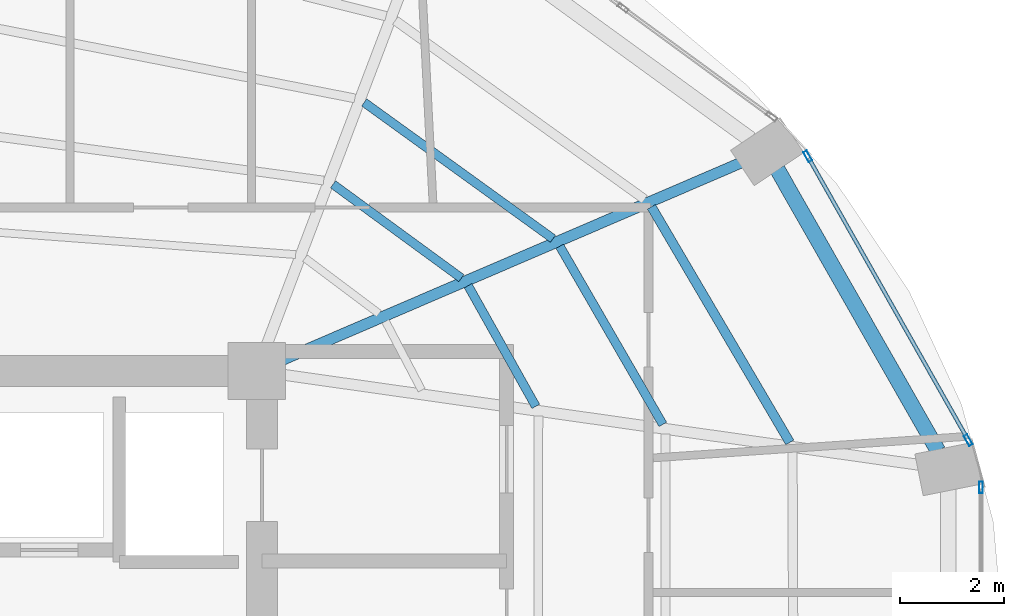
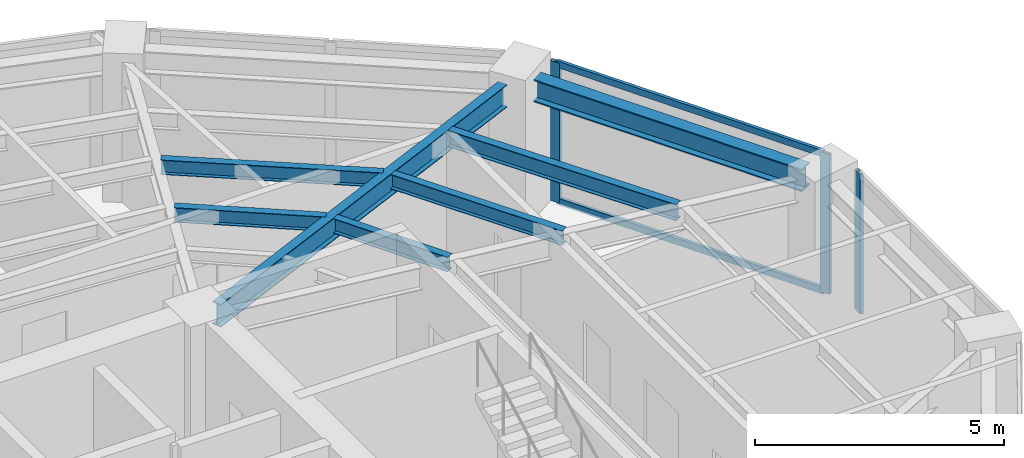
# One storey, part 11 of 20: 7 beams, 5 members, 2 elements without a shape of their own.
"""IFC4 building model written with IfcOpenShell, lengths in metres."""

from ifc_helpers import new_model, si_unit, direction, frame, origin, origin_2d, place, context, subcontext, project, spatial, hollow_rectangle, i_section, extrude, material, layer, layer_set, material_profile, profile_set, type_object, element, aggregate, save


model = new_model("IFC4")

# Units and contexts
model_context = context("Model", 3, precision=1e-05, world=origin(), true_north=direction((0.0, 1.0)))
body_context = subcontext(model_context, "Body", "Model", "MODEL_VIEW")
ifc_project = project(units=[si_unit("LENGTHUNIT", "METRE"), si_unit("AREAUNIT", "SQUARE_METRE"), si_unit("VOLUMEUNIT", "CUBIC_METRE"), si_unit("PLANEANGLEUNIT", "RADIAN"), si_unit("MASSUNIT", "GRAM", prefix="KILO")], contexts=[model_context])

# Site, building, storey
site_placement = place(None, origin())
site = spatial("IfcSite", under=ifc_project, at=site_placement, CompositionType="ELEMENT")
building_placement = place(site_placement, origin())
building = spatial("IfcBuilding", under=site, at=building_placement, Name="Lazwardi Medical Tower", CompositionType="ELEMENT")
storey_placement = place(building_placement, frame((0.0, 0.0, 156.528076171875)))
storey = spatial("IfcBuildingStorey", under=building, at=storey_placement, Name="L40", CompositionType="ELEMENT", Elevation=156.528076171875)

# Beams
ifc_material_1 = material(Name="Steel S355", Category="steel")
ifc_material_profile_1 = material_profile(ifc_material_1, i_section(OverallWidth=0.300048828125, OverallDepth=0.550048828125, WebThickness=0.014892578125, FlangeThickness=0.029052734375, at=origin_2d()), Name="HEB 550")
ifc_profile_set_1 = profile_set([ifc_material_profile_1], Name="Steel S355")
beam_type_1 = type_object("IfcBeamType", Name="BM-RB-Z3", PredefinedType="BEAM", material=ifc_profile_set_1)
beam_1_placement = place(storey_placement, frame((58.727783203125, 34.05908203125, 3.15283203125), z_axis=(-0.495460926326, 0.868630226554, 0.0), x_axis=(-0.868630226554, -0.495460926326, 0.0)))
element("IfcBeam", 1, at=beam_1_placement, inside=storey, type_object=beam_type_1, Name="Ring beam RB-04 B05 L40", PredefinedType="BEAM", context=body_context, shape_type="SweptSolid", body=[
    extrude(i_section(OverallWidth=0.300048828125, OverallDepth=0.550048828125, WebThickness=0.014892578125, FlangeThickness=0.029052734375, at=origin_2d()), origin(), (0.0, 0.0, 1.0), 6.24462890625),
])
ifc_material_profile_2 = material_profile(ifc_material_1, i_section(OverallWidth=0.2099609375, OverallDepth=0.550048828125, WebThickness=0.010986328125, FlangeThickness=0.01708984375, at=origin_2d()), Name="IPE 550")
ifc_profile_set_2 = profile_set([ifc_material_profile_2], Name="Steel S355")
beam_type_2 = type_object("IfcBeamType", Name="BM-RG-W2", PredefinedType="BEAM", material=ifc_profile_set_2)
beam_2_placement = place(storey_placement, frame((54.921142578125, 39.609619140625, 3.15283203125), z_axis=(-0.918608156288, -0.395169653695, 0.0), x_axis=(0.395169653695, -0.918608156288, 0.0)))
element("IfcBeam", 2, at=beam_2_placement, inside=storey, type_object=beam_type_2, Name="Radial girder RG-03 R06 L40", PredefinedType="BEAM", context=body_context, shape_type="SweptSolid", body=[
    extrude(i_section(OverallWidth=0.2099609375, OverallDepth=0.550048828125, WebThickness=0.010986328125, FlangeThickness=0.01708984375, at=origin_2d()), origin(), (0.0, 0.0, 1.0), 9.61181640625),
])
ifc_material_profile_3 = material_profile(ifc_material_1, i_section(OverallWidth=0.179931640625, OverallDepth=0.39990234375, WebThickness=0.008544921875, FlangeThickness=0.013427734375, at=origin_2d()), Name="IPE 400")
ifc_profile_set_3 = profile_set([ifc_material_profile_3], Name="Steel S355")
beam_type_3 = type_object("IfcBeamType", Name="BM-SJ-01", PredefinedType="JOIST", material=ifc_profile_set_3)
beam_3_placement = place(storey_placement, frame((55.872314453125, 34.223388671875, 3.22802734375), z_axis=(-0.506420212881, 0.862286824662, 0.0), x_axis=(-0.862286824662, -0.506420212881, 0.0)))
element("IfcBeam", 3, at=beam_3_placement, inside=storey, type_object=beam_type_3, Name="Secondary joist SJ-01 R1 B05 L40", PredefinedType="JOIST", context=body_context, shape_type="SweptSolid", body=[
    extrude(i_section(OverallWidth=0.179931640625, OverallDepth=0.39990234375, WebThickness=0.008544921875, FlangeThickness=0.013427734375, at=origin_2d()), origin(), (0.0, 0.0, 1.0), 5.265380859375),
])
ifc_material_profile_4 = material_profile(ifc_material_1, i_section(OverallWidth=0.169921875, OverallDepth=0.360107421875, WebThickness=0.008056640625, FlangeThickness=0.0126953125, at=origin_2d()), Name="IPE 360")
ifc_profile_set_4 = profile_set([ifc_material_profile_4], Name="Steel S355")
beam_type_4 = type_object("IfcBeamType", Name="BM-SJ-02", PredefinedType="JOIST", material=ifc_profile_set_4)
beam_4_placement = place(storey_placement, frame((53.4248046875, 34.57080078125, 3.247802734375), z_axis=(-0.500640648605, 0.865655209055, 0.0), x_axis=(-0.865655209055, -0.500640648605, 0.0)))
element("IfcBeam", 4, at=beam_4_placement, inside=storey, type_object=beam_type_4, Name="Secondary joist SJ-02 R2 B05 L40", PredefinedType="JOIST", context=body_context, shape_type="SweptSolid", body=[
    extrude(i_section(OverallWidth=0.169921875, OverallDepth=0.360107421875, WebThickness=0.008056640625, FlangeThickness=0.0126953125, at=origin_2d()), origin(), (0.0, 0.0, 1.0), 3.965576171875),
])
beam_5_placement = place(storey_placement, frame((51.30810546875, 38.148681640625, 3.247802734375), z_axis=(-0.810738039179, 0.585409114917, 0.0), x_axis=(-0.585409114917, -0.810738039179, 0.0)))
element("IfcBeam", 5, at=beam_5_placement, inside=storey, type_object=beam_type_4, Name="Secondary joist SJ-02 R2 B06 L40", PredefinedType="JOIST", context=body_context, shape_type="SweptSolid", body=[
    extrude(i_section(OverallWidth=0.169921875, OverallDepth=0.360107421875, WebThickness=0.008056640625, FlangeThickness=0.0126953125, at=origin_2d()), origin(), (0.0, 0.0, 1.0), 4.48779296875),
])
beam_6_placement = place(storey_placement, frame((50.977294921875, 34.918212890625, 3.247802734375), z_axis=(-0.489408945026, 0.872054404569, 0.0), x_axis=(-0.872054404569, -0.489408945026, 0.0)))
element("IfcBeam", 6, at=beam_6_placement, inside=storey, type_object=beam_type_4, Name="Secondary joist SJ-02 R3 B05 L40", PredefinedType="JOIST", context=body_context, shape_type="SweptSolid", body=[
    extrude(i_section(OverallWidth=0.169921875, OverallDepth=0.360107421875, WebThickness=0.008056640625, FlangeThickness=0.0126953125, at=origin_2d()), origin(), (0.0, 0.0, 1.0), 2.666259765625),
])
beam_7_placement = place(storey_placement, frame((49.54248046875, 37.3896484375, 3.247802734375), z_axis=(-0.807285959008, 0.590160470033, 0.0), x_axis=(-0.590160470033, -0.807285959008, 0.0)))
element("IfcBeam", 7, at=beam_7_placement, inside=storey, type_object=beam_type_4, Name="Secondary joist SJ-02 R3 B06 L40", PredefinedType="JOIST", context=body_context, shape_type="SweptSolid", body=[
    extrude(i_section(OverallWidth=0.169921875, OverallDepth=0.360107421875, WebThickness=0.008056640625, FlangeThickness=0.0126953125, at=origin_2d()), origin(), (0.0, 0.0, 1.0), 3.06298828125),
])

# Curtain wall, member
ifc_material_2 = material(Name="Anodised bronze aluminium and solar control glazing", Category="aluminium")
ifc_layer = layer(ifc_material_2, 0.195068359375)
ifc_layer_set = layer_set([ifc_layer], Name="Anodised bronze aluminium and solar control glazing")
curtain_wall_type = type_object("IfcCurtainWallType", Name="CW-SYS-03", PredefinedType="NOTDEFINED", material=ifc_layer_set)
curtain_wall_1_placement = place(storey_placement, origin())
curtain_wall_1 = element("IfcCurtainWall", 8, at=curtain_wall_1_placement, inside=storey, type_object=curtain_wall_type, Name="L40 Unitised bronze curtain wall CW-03", PredefinedType="NOTDEFINED")
ifc_material_3 = material(Name="Anodised bronze aluminium", Category="aluminium")
ifc_material_profile_5 = material_profile(ifc_material_3, hollow_rectangle(XDim=0.074951171875, YDim=0.219970703125, WallThickness=0.00390625, at=origin_2d()), Name="ALU-MULLION 220x75x4")
ifc_profile_set_5 = profile_set([ifc_material_profile_5], Name="Anodised bronze aluminium")
member_type_1 = type_object("IfcMemberType", Name="CW-MUL-01", PredefinedType="MULLION", material=ifc_profile_set_5)
member_1_placement = place(storey_placement, frame((59.5576171875, 33.35791015625, 0.0), z_axis=(0.0, 0.0, 1.0), x_axis=(-1.0, 0.0, 0.0)))
member_1 = element("IfcMember", 9, at=member_1_placement, type_object=member_type_1, Name="CW-03 mullion 2", PredefinedType="MULLION", context=body_context, shape_type="SweptSolid", body=[
    extrude(hollow_rectangle(XDim=0.074951171875, YDim=0.219970703125, WallThickness=0.00390625, at=origin_2d()), origin(), (0.0, 0.0, 1.0), 3.427978515625),
])
aggregate(curtain_wall_1, [member_1])

# Curtain wall, members
curtain_wall_2_placement = place(storey_placement, origin())
curtain_wall_2 = element("IfcCurtainWall", 10, at=curtain_wall_2_placement, inside=storey, type_object=curtain_wall_type, Name="L40 Unitised bronze curtain wall CW-03", PredefinedType="NOTDEFINED")
member_2_placement = place(storey_placement, frame((59.31103515625, 34.267333984375, 0.0), z_axis=(0.0, 0.0, 1.0), x_axis=(-0.870418989303, -0.492311672683, 0.0)))
member_2 = element("IfcMember", 11, at=member_2_placement, type_object=member_type_1, Name="CW-03 mullion 1", PredefinedType="MULLION", context=body_context, shape_type="SweptSolid", body=[
    extrude(hollow_rectangle(XDim=0.074951171875, YDim=0.219970703125, WallThickness=0.00390625, at=origin_2d()), origin(), (0.0, 0.0, 1.0), 3.427978515625),
])
member_3_placement = place(storey_placement, frame((56.217529296875, 39.73681640625, 0.0), z_axis=(0.0, 0.0, 1.0), x_axis=(-0.870418989303, -0.492311672683, 0.0)))
member_3 = element("IfcMember", 12, at=member_3_placement, type_object=member_type_1, Name="CW-03 mullion 2", PredefinedType="MULLION", context=body_context, shape_type="SweptSolid", body=[
    extrude(hollow_rectangle(XDim=0.074951171875, YDim=0.219970703125, WallThickness=0.00390625, at=origin_2d()), origin(), (0.0, 0.0, 1.0), 3.427978515625),
])
ifc_material_profile_6 = material_profile(ifc_material_3, hollow_rectangle(XDim=0.074951171875, YDim=0.159912109375, WallThickness=0.00390625, at=origin_2d()), Name="ALU-TRANSOM 160x75x4")
ifc_profile_set_6 = profile_set([ifc_material_profile_6], Name="Anodised bronze aluminium")
member_type_2 = type_object("IfcMemberType", Name="CW-TRN-01", PredefinedType="USERDEFINED", material=ifc_profile_set_6)
member_4_placement = place(storey_placement, frame((59.292724609375, 34.2998046875, 0.037353515625), z_axis=(-0.492306010269, 0.870422191958, 0.0), x_axis=(-0.870422191958, -0.492306010269, 0.0)))
member_4 = element("IfcMember", 13, at=member_4_placement, type_object=member_type_2, Name="CW-03 transom 1.1", ObjectType="TRANSOM", PredefinedType="USERDEFINED", context=body_context, shape_type="SweptSolid", body=[
    extrude(hollow_rectangle(XDim=0.074951171875, YDim=0.159912109375, WallThickness=0.00390625, at=origin_2d()), origin(), (0.0, 0.0, 1.0), 6.208740234375),
])
member_5_placement = place(storey_placement, frame((59.292724609375, 34.2998046875, 3.390380859375), z_axis=(-0.492306010269, 0.870422191958, 0.0), x_axis=(-0.870422191958, -0.492306010269, 0.0)))
member_5 = element("IfcMember", 14, at=member_5_placement, type_object=member_type_2, Name="CW-03 transom 1.2", ObjectType="TRANSOM", PredefinedType="USERDEFINED", context=body_context, shape_type="SweptSolid", body=[
    extrude(hollow_rectangle(XDim=0.074951171875, YDim=0.159912109375, WallThickness=0.00390625, at=origin_2d()), origin(), (0.0, 0.0, 1.0), 6.208740234375),
])
aggregate(curtain_wall_2, [member_2, member_3, member_4, member_5])

save(model, "model.ifc")
